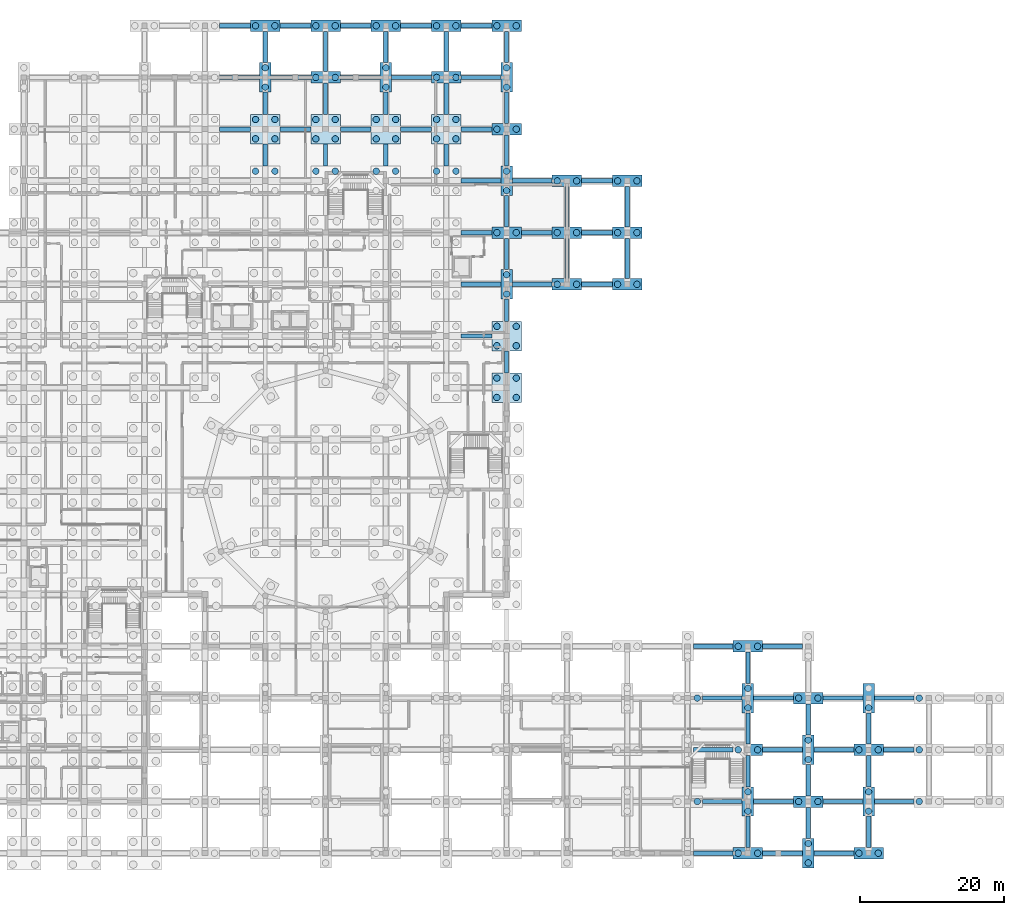
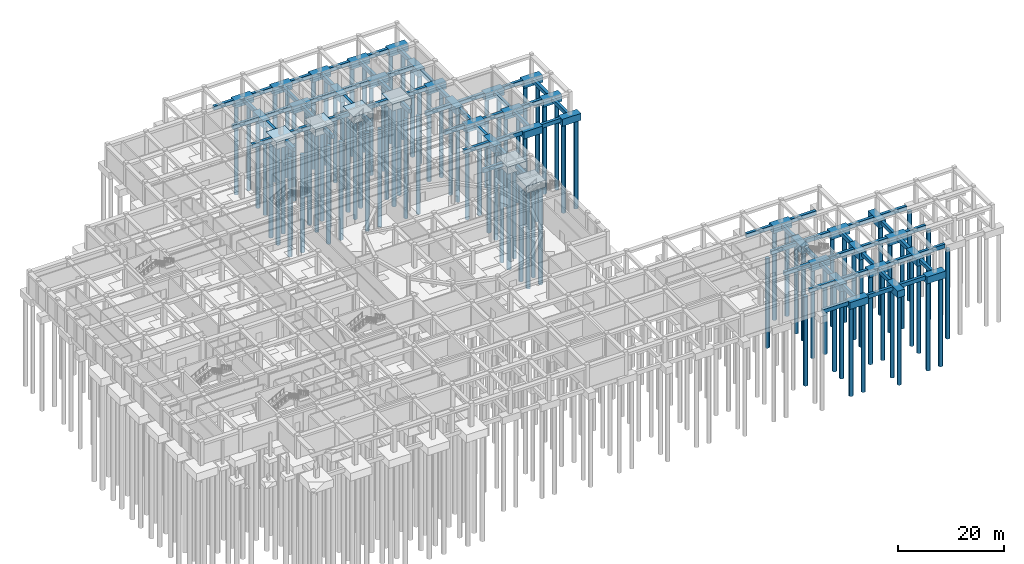
# One storey, part 7 of 32: 114 footings, 102 piles.
"""IFC4 building model written with IfcOpenShell, lengths in metres."""

from ifc_helpers import new_model, si_unit, derived_unit, direction, frame, origin, origin_2d, place, context, subcontext, project, spatial, rectangle, circle, extrude, material, material_profile, profile_set, type_object, element, save


model = new_model("IFC4")

# Units and contexts
model_context = context("Model", 3, precision=1e-05, world=origin(), true_north=direction((0.0, 1.0)))
body_context = subcontext(model_context, "Body", "Model", "MODEL_VIEW")
ifc_project = project(units=[si_unit("LENGTHUNIT", "METRE"), si_unit("AREAUNIT", "SQUARE_METRE"), si_unit("VOLUMEUNIT", "CUBIC_METRE"), si_unit("PLANEANGLEUNIT", "RADIAN"), si_unit("MASSUNIT", "GRAM", prefix="KILO"), derived_unit("THERMALTRANSMITTANCEUNIT", [(si_unit("POWERUNIT", "WATT"), 1), (si_unit("LENGTHUNIT", "METRE"), -2), (si_unit("THERMODYNAMICTEMPERATUREUNIT", "KELVIN"), -1)])], contexts=[model_context])

# Site, building, storey
site_placement = place(None, origin())
site = spatial("IfcSite", under=ifc_project, at=site_placement, CompositionType="ELEMENT")
building_placement = place(site_placement, origin())
building = spatial("IfcBuilding", under=site, at=building_placement, Name="Veybourne Emporium", CompositionType="ELEMENT")
storey_placement = place(building_placement, frame((0.0, 0.0, -5.39990234375)))
storey = spatial("IfcBuildingStorey", under=building, at=storey_placement, Name="B1", CompositionType="ELEMENT", Elevation=-5.39990234375)

# Footings
ifc_material = material(Name="Concrete C35/45", Category="concrete")
footing_type_1 = type_object("IfcFootingType", Name="GroundBeam_GB-3100", PredefinedType="FOOTING_BEAM", material=ifc_material)
for number, where, z_axis, x_axis, name in (
    (1, (67.199951171875, 97.199951171875, -0.900146484375), (0.0, 0.0, 1.0), (0.0, 1.0, 0.0), "Ground tie beam GB-3100"),
    (2, (67.199951171875, 104.39990234375, -0.900146484375), (0.0, 0.0, 1.0), (0.0, 1.0, 0.0), "Ground tie beam GB-3100"),
    (3, (75.60009765625, 97.199951171875, -0.900146484375), (0.0, 0.0, 1.0), (0.0, 1.0, 0.0), "Ground tie beam GB-3100"),
    (4, (84.0, 97.199951171875, -0.900146484375), (0.0, 0.0, 1.0), (0.0, 1.0, 0.0), "Ground tie beam GB-3100"),
    (5, (84.0, 104.39990234375, -0.900146484375), (0.0, 0.0, 1.0), (0.0, 1.0, 0.0), "Ground tie beam GB-3100"),
    (6, (92.39990234375, 97.199951171875, -0.900146484375), (0.0, 0.0, 1.0), (0.0, 1.0, 0.0), "Ground tie beam GB-3100"),
    (7, (100.800048828125, 68.39990234375, -0.900146484375), (0.0, 0.0, 1.0), (0.0, 1.0, 0.0), "Ground tie beam GB-3100"),
    (8, (100.800048828125, 75.60009765625, -0.900146484375), (0.0, 0.0, 1.0), (0.0, 1.0, 0.0), "Ground tie beam GB-3100"),
):
    element("IfcFooting", number, at=place(storey_placement, frame(where, z_axis=z_axis, x_axis=x_axis)), inside=storey, type_object=footing_type_1, Name=name, PredefinedType="FOOTING_BEAM", context=body_context, shape_type="SweptSolid", body=[
        extrude(rectangle(XDim=3.10009765625, YDim=0.60009765625, at=origin_2d()), origin(), (0.0, 0.0, 1.0), 0.89990234375),
    ])
footing_type_2 = type_object("IfcFootingType", Name="GroundBeam_GB-4300", PredefinedType="FOOTING_BEAM", material=ifc_material)
for number, where, z_axis, x_axis, name in (
    (9, (63.0, 100.800048828125, -0.900146484375), (0.0, 0.0, 1.0), (1.0, 0.0, 0.0), "Ground tie beam GB-4300"),
    (10, (63.0, 115.199951171875, -0.900146484375), (0.0, 0.0, 1.0), (1.0, 0.0, 0.0), "Ground tie beam GB-4300"),
    (11, (71.39990234375, 100.800048828125, -0.900146484375), (0.0, 0.0, 1.0), (1.0, 0.0, 0.0), "Ground tie beam GB-4300"),
    (12, (71.39990234375, 115.199951171875, -0.900146484375), (0.0, 0.0, 1.0), (1.0, 0.0, 0.0), "Ground tie beam GB-4300"),
    (13, (79.800048828125, 100.800048828125, -0.900146484375), (0.0, 0.0, 1.0), (1.0, 0.0, 0.0), "Ground tie beam GB-4300"),
    (14, (79.800048828125, 115.199951171875, -0.900146484375), (0.0, 0.0, 1.0), (1.0, 0.0, 0.0), "Ground tie beam GB-4300"),
    (15, (88.199951171875, 100.800048828125, -0.900146484375), (0.0, 0.0, 1.0), (1.0, 0.0, 0.0), "Ground tie beam GB-4300"),
    (16, (88.199951171875, 115.199951171875, -0.900146484375), (0.0, 0.0, 1.0), (1.0, 0.0, 0.0), "Ground tie beam GB-4300"),
    (17, (96.60009765625, 72.0, -0.900146484375), (0.0, 0.0, 1.0), (1.0, 0.0, 0.0), "Ground tie beam GB-4300"),
    (18, (96.60009765625, 86.39990234375, -0.900146484375), (0.0, 0.0, 1.0), (1.0, 0.0, 0.0), "Ground tie beam GB-4300"),
    (19, (96.60009765625, 100.800048828125, -0.900146484375), (0.0, 0.0, 1.0), (1.0, 0.0, 0.0), "Ground tie beam GB-4300"),
    (20, (96.60009765625, 115.199951171875, -0.900146484375), (0.0, 0.0, 1.0), (1.0, 0.0, 0.0), "Ground tie beam GB-4300"),
    (21, (105.0, 86.39990234375, -0.900146484375), (0.0, 0.0, 1.0), (1.0, 0.0, 0.0), "Ground tie beam GB-4300"),
    (22, (113.39990234375, 79.199951171875, -0.900146484375), (0.0, 0.0, 1.0), (1.0, 0.0, 0.0), "Ground tie beam GB-4300"),
    (23, (113.39990234375, 86.39990234375, -0.900146484375), (0.0, 0.0, 1.0), (1.0, 0.0, 0.0), "Ground tie beam GB-4300"),
    (24, (113.39990234375, 93.60009765625, -0.900146484375), (0.0, 0.0, 1.0), (1.0, 0.0, 0.0), "Ground tie beam GB-4300"),
    (25, (155.39990234375, 14.39990234375, -0.900146484375), (0.0, 0.0, 1.0), (1.0, 0.0, 0.0), "Ground tie beam GB-4300"),
):
    element("IfcFooting", number, at=place(storey_placement, frame(where, z_axis=z_axis, x_axis=x_axis)), inside=storey, type_object=footing_type_2, Name=name, PredefinedType="FOOTING_BEAM", context=body_context, shape_type="SweptSolid", body=[
        extrude(rectangle(XDim=4.300048828125, YDim=0.60009765625, at=origin_2d()), origin(), (0.0, 0.0, 1.0), 0.89990234375),
    ])
footing_type_3 = type_object("IfcFootingType", Name="GroundBeam_GB-4350", PredefinedType="FOOTING_BEAM", material=ifc_material)
for number, where, z_axis, x_axis, name in (
    (26, (67.199951171875, 112.22509765625, -0.900146484375), (0.0, 0.0, 1.0), (0.0, 1.0, 0.0), "Ground tie beam GB-4350"),
    (27, (75.60009765625, 105.02490234375, -0.900146484375), (0.0, 0.0, 1.0), (0.0, 1.0, 0.0), "Ground tie beam GB-4350"),
    (28, (84.0, 112.22509765625, -0.900146484375), (0.0, 0.0, 1.0), (0.0, 1.0, 0.0), "Ground tie beam GB-4350"),
    (29, (92.39990234375, 105.02490234375, -0.900146484375), (0.0, 0.0, 1.0), (0.0, 1.0, 0.0), "Ground tie beam GB-4350"),
    (30, (100.800048828125, 83.425048828125, -0.900146484375), (0.0, 0.0, 1.0), (0.0, 1.0, 0.0), "Ground tie beam GB-4350"),
    (31, (100.800048828125, 89.375, -0.900146484375), (0.0, 0.0, 1.0), (0.0, 1.0, 0.0), "Ground tie beam GB-4350"),
    (32, (100.800048828125, 97.824951171875, -0.900146484375), (0.0, 0.0, 1.0), (0.0, 1.0, 0.0), "Ground tie beam GB-4350"),
    (33, (100.800048828125, 103.77490234375, -0.900146484375), (0.0, 0.0, 1.0), (0.0, 1.0, 0.0), "Ground tie beam GB-4350"),
    (34, (100.800048828125, 112.22509765625, -0.900146484375), (0.0, 0.0, 1.0), (0.0, 1.0, 0.0), "Ground tie beam GB-4350"),
    (35, (134.39990234375, 2.97509765625, -0.900146484375), (0.0, 0.0, 1.0), (0.0, 1.0, 0.0), "Ground tie beam GB-4350"),
    (36, (134.39990234375, 11.425048828125, -0.900146484375), (0.0, 0.0, 1.0), (0.0, 1.0, 0.0), "Ground tie beam GB-4350"),
    (37, (134.39990234375, 17.375, -0.900146484375), (0.0, 0.0, 1.0), (0.0, 1.0, 0.0), "Ground tie beam GB-4350"),
    (38, (134.39990234375, 25.824951171875, -0.900146484375), (0.0, 0.0, 1.0), (0.0, 1.0, 0.0), "Ground tie beam GB-4350"),
    (39, (142.800048828125, 4.22509765625, -0.900146484375), (0.0, 0.0, 1.0), (0.0, 1.0, 0.0), "Ground tie beam GB-4350"),
    (40, (142.800048828125, 10.175048828125, -0.900146484375), (0.0, 0.0, 1.0), (0.0, 1.0, 0.0), "Ground tie beam GB-4350"),
    (41, (142.800048828125, 18.625, -0.900146484375), (0.0, 0.0, 1.0), (0.0, 1.0, 0.0), "Ground tie beam GB-4350"),
    (42, (151.199951171875, 2.97509765625, -0.900146484375), (0.0, 0.0, 1.0), (0.0, 1.0, 0.0), "Ground tie beam GB-4350"),
    (43, (151.199951171875, 11.425048828125, -0.900146484375), (0.0, 0.0, 1.0), (0.0, 1.0, 0.0), "Ground tie beam GB-4350"),
    (44, (151.199951171875, 17.375, -0.900146484375), (0.0, 0.0, 1.0), (0.0, 1.0, 0.0), "Ground tie beam GB-4350"),
):
    element("IfcFooting", number, at=place(storey_placement, frame(where, z_axis=z_axis, x_axis=x_axis)), inside=storey, type_object=footing_type_3, Name=name, PredefinedType="FOOTING_BEAM", context=body_context, shape_type="SweptSolid", body=[
        extrude(rectangle(XDim=4.35009765625, YDim=0.60009765625, at=origin_2d()), origin(), (0.0, 0.0, 1.0), 0.89990234375),
    ])
footing_type_4 = type_object("IfcFootingType", Name="GroundBeam_GB-5550", PredefinedType="FOOTING_BEAM", material=ifc_material)
for number, where, z_axis, x_axis, name in (
    (45, (63.625, 108.0, -0.900146484375), (0.0, 0.0, 1.0), (1.0, 0.0, 0.0), "Ground tie beam GB-5550"),
    (46, (70.77490234375, 108.0, -0.900146484375), (0.0, 0.0, 1.0), (1.0, 0.0, 0.0), "Ground tie beam GB-5550"),
    (47, (80.425048828125, 108.0, -0.900146484375), (0.0, 0.0, 1.0), (1.0, 0.0, 0.0), "Ground tie beam GB-5550"),
    (48, (87.574951171875, 108.0, -0.900146484375), (0.0, 0.0, 1.0), (1.0, 0.0, 0.0), "Ground tie beam GB-5550"),
    (49, (97.22509765625, 79.199951171875, -0.900146484375), (0.0, 0.0, 1.0), (1.0, 0.0, 0.0), "Ground tie beam GB-5550"),
    (50, (97.22509765625, 93.60009765625, -0.900146484375), (0.0, 0.0, 1.0), (1.0, 0.0, 0.0), "Ground tie beam GB-5550"),
    (51, (97.22509765625, 108.0, -0.900146484375), (0.0, 0.0, 1.0), (1.0, 0.0, 0.0), "Ground tie beam GB-5550"),
    (52, (104.375, 79.199951171875, -0.900146484375), (0.0, 0.0, 1.0), (1.0, 0.0, 0.0), "Ground tie beam GB-5550"),
    (53, (104.375, 93.60009765625, -0.900146484375), (0.0, 0.0, 1.0), (1.0, 0.0, 0.0), "Ground tie beam GB-5550"),
    (54, (129.574951171875, 0.0, -0.900146484375), (0.0, 0.0, 1.0), (1.0, 0.0, 0.0), "Ground tie beam GB-5550"),
    (55, (130.824951171875, 7.199951171875, -0.900146484375), (0.0, 0.0, 1.0), (1.0, 0.0, 0.0), "Ground tie beam GB-5550"),
    (56, (129.574951171875, 14.39990234375, -0.900146484375), (0.0, 0.0, 1.0), (1.0, 0.0, 0.0), "Ground tie beam GB-5550"),
    (57, (130.824951171875, 21.60009765625, -0.900146484375), (0.0, 0.0, 1.0), (1.0, 0.0, 0.0), "Ground tie beam GB-5550"),
    (58, (129.574951171875, 28.800048828125, -0.900146484375), (0.0, 0.0, 1.0), (1.0, 0.0, 0.0), "Ground tie beam GB-5550"),
    (59, (139.22509765625, 0.0, -0.900146484375), (0.0, 0.0, 1.0), (1.0, 0.0, 0.0), "Ground tie beam GB-5550"),
    (60, (137.97509765625, 7.199951171875, -0.900146484375), (0.0, 0.0, 1.0), (1.0, 0.0, 0.0), "Ground tie beam GB-5550"),
    (61, (139.22509765625, 14.39990234375, -0.900146484375), (0.0, 0.0, 1.0), (1.0, 0.0, 0.0), "Ground tie beam GB-5550"),
    (62, (137.97509765625, 21.60009765625, -0.900146484375), (0.0, 0.0, 1.0), (1.0, 0.0, 0.0), "Ground tie beam GB-5550"),
    (63, (139.22509765625, 28.800048828125, -0.900146484375), (0.0, 0.0, 1.0), (1.0, 0.0, 0.0), "Ground tie beam GB-5550"),
    (64, (146.375, 0.0, -0.900146484375), (0.0, 0.0, 1.0), (1.0, 0.0, 0.0), "Ground tie beam GB-5550"),
    (65, (147.625, 7.199951171875, -0.900146484375), (0.0, 0.0, 1.0), (1.0, 0.0, 0.0), "Ground tie beam GB-5550"),
    (66, (146.375, 14.39990234375, -0.900146484375), (0.0, 0.0, 1.0), (1.0, 0.0, 0.0), "Ground tie beam GB-5550"),
    (67, (147.625, 21.60009765625, -0.900146484375), (0.0, 0.0, 1.0), (1.0, 0.0, 0.0), "Ground tie beam GB-5550"),
    (68, (154.77490234375, 7.199951171875, -0.900146484375), (0.0, 0.0, 1.0), (1.0, 0.0, 0.0), "Ground tie beam GB-5550"),
    (69, (154.77490234375, 21.60009765625, -0.900146484375), (0.0, 0.0, 1.0), (1.0, 0.0, 0.0), "Ground tie beam GB-5550"),
):
    element("IfcFooting", number, at=place(storey_placement, frame(where, z_axis=z_axis, x_axis=x_axis)), inside=storey, type_object=footing_type_4, Name=name, PredefinedType="FOOTING_BEAM", context=body_context, shape_type="SweptSolid", body=[
        extrude(rectangle(XDim=5.550048828125, YDim=0.60009765625, at=origin_2d()), origin(), (0.0, 0.0, 1.0), 0.89990234375),
    ])
footing_type_5 = type_object("IfcFootingType", Name="GroundBeam_GB-5600", PredefinedType="FOOTING_BEAM", material=ifc_material)
for number, where, z_axis, x_axis, name in (
    (70, (75.60009765625, 111.60009765625, -0.900146484375), (0.0, 0.0, 1.0), (0.0, 1.0, 0.0), "Ground tie beam GB-5600"),
    (71, (92.39990234375, 111.60009765625, -0.900146484375), (0.0, 0.0, 1.0), (0.0, 1.0, 0.0), "Ground tie beam GB-5600"),
    (72, (109.199951171875, 82.800048828125, -0.900146484375), (0.0, 0.0, 1.0), (0.0, 1.0, 0.0), "Ground tie beam GB-5600"),
    (73, (109.199951171875, 90.0, -0.900146484375), (0.0, 0.0, 1.0), (0.0, 1.0, 0.0), "Ground tie beam GB-5600"),
    (74, (117.60009765625, 82.800048828125, -0.900146484375), (0.0, 0.0, 1.0), (0.0, 1.0, 0.0), "Ground tie beam GB-5600"),
    (75, (117.60009765625, 90.0, -0.900146484375), (0.0, 0.0, 1.0), (0.0, 1.0, 0.0), "Ground tie beam GB-5600"),
):
    element("IfcFooting", number, at=place(storey_placement, frame(where, z_axis=z_axis, x_axis=x_axis)), inside=storey, type_object=footing_type_5, Name=name, PredefinedType="FOOTING_BEAM", context=body_context, shape_type="SweptSolid", body=[
        extrude(rectangle(XDim=5.60009765625, YDim=0.60009765625, at=origin_2d()), origin(), (0.0, 0.0, 1.0), 0.89990234375),
    ])
footing_type_6 = type_object("IfcFootingType", Name="PileCap_PC-02", PredefinedType="PILE_CAP", material=ifc_material)
for number, where, z_axis, x_axis, name in (
    (76, (67.199951171875, 115.199951171875, -1.60009765625), (0.0, 0.0, 1.0), (1.0, 0.0, 0.0), "Pile cap PC-02 at grid (8,16)"),
    (77, (75.60009765625, 108.0, -1.60009765625), (0.0, 0.0, 1.0), (1.0, 0.0, 0.0), "Pile cap PC-02 at grid (9,15)"),
    (78, (75.60009765625, 115.199951171875, -1.60009765625), (0.0, 0.0, 1.0), (1.0, 0.0, 0.0), "Pile cap PC-02 at grid (9,16)"),
    (79, (84.0, 115.199951171875, -1.60009765625), (0.0, 0.0, 1.0), (1.0, 0.0, 0.0), "Pile cap PC-02 at grid (10,16)"),
    (80, (92.39990234375, 108.0, -1.60009765625), (0.0, 0.0, 1.0), (1.0, 0.0, 0.0), "Pile cap PC-02 at grid (11,15)"),
    (81, (92.39990234375, 115.199951171875, -1.60009765625), (0.0, 0.0, 1.0), (1.0, 0.0, 0.0), "Pile cap PC-02 at grid (11,16)"),
    (82, (100.800048828125, 86.39990234375, -1.60009765625), (0.0, 0.0, 1.0), (1.0, 0.0, 0.0), "Pile cap PC-02 at grid (12,12)"),
    (83, (100.800048828125, 100.800048828125, -1.60009765625), (0.0, 0.0, 1.0), (1.0, 0.0, 0.0), "Pile cap PC-02 at grid (12,14)"),
    (84, (100.800048828125, 115.199951171875, -1.60009765625), (0.0, 0.0, 1.0), (1.0, 0.0, 0.0), "Pile cap PC-02 at grid (12,16)"),
    (85, (109.199951171875, 79.199951171875, -1.60009765625), (0.0, 0.0, 1.0), (1.0, 0.0, 0.0), "Pile cap PC-02 at grid (13,11)"),
    (86, (109.199951171875, 86.39990234375, -1.60009765625), (0.0, 0.0, 1.0), (1.0, 0.0, 0.0), "Pile cap PC-02 at grid (13,12)"),
    (87, (109.199951171875, 93.60009765625, -1.60009765625), (0.0, 0.0, 1.0), (1.0, 0.0, 0.0), "Pile cap PC-02 at grid (13,13)"),
    (88, (117.60009765625, 79.199951171875, -1.60009765625), (0.0, 0.0, 1.0), (1.0, 0.0, 0.0), "Pile cap PC-02 at grid (14,11)"),
    (89, (117.60009765625, 86.39990234375, -1.60009765625), (0.0, 0.0, 1.0), (1.0, 0.0, 0.0), "Pile cap PC-02 at grid (14,12)"),
    (90, (117.60009765625, 93.60009765625, -1.60009765625), (0.0, 0.0, 1.0), (1.0, 0.0, 0.0), "Pile cap PC-02 at grid (14,13)"),
    (91, (134.39990234375, 0.0, -1.60009765625), (0.0, 0.0, 1.0), (1.0, 0.0, 0.0), "Pile cap PC-02 at grid (16,0)"),
    (92, (134.39990234375, 14.39990234375, -1.60009765625), (0.0, 0.0, 1.0), (1.0, 0.0, 0.0), "Pile cap PC-02 at grid (16,2)"),
    (93, (134.39990234375, 28.800048828125, -1.60009765625), (0.0, 0.0, 1.0), (1.0, 0.0, 0.0), "Pile cap PC-02 at grid (16,4)"),
    (94, (142.800048828125, 7.199951171875, -1.60009765625), (0.0, 0.0, 1.0), (1.0, 0.0, 0.0), "Pile cap PC-02 at grid (17,1)"),
    (95, (142.800048828125, 21.60009765625, -1.60009765625), (0.0, 0.0, 1.0), (1.0, 0.0, 0.0), "Pile cap PC-02 at grid (17,3)"),
    (96, (151.199951171875, 0.0, -1.60009765625), (0.0, 0.0, 1.0), (1.0, 0.0, 0.0), "Pile cap PC-02 at grid (18,0)"),
    (97, (151.199951171875, 14.39990234375, -1.60009765625), (0.0, 0.0, 1.0), (1.0, 0.0, 0.0), "Pile cap PC-02 at grid (18,2)"),
):
    element("IfcFooting", number, at=place(storey_placement, frame(where, z_axis=z_axis, x_axis=x_axis)), inside=storey, type_object=footing_type_6, Name=name, PredefinedType="PILE_CAP", context=body_context, shape_type="SweptSolid", body=[
        extrude(rectangle(XDim=4.10009765625, YDim=1.60009765625, at=origin_2d()), origin(), (0.0, 0.0, 1.0), 1.60009765625),
    ])
footing_type_7 = type_object("IfcFootingType", Name="PileCap_PC-03", PredefinedType="PILE_CAP", material=ifc_material)
for number, where, z_axis, x_axis, name in (
    (98, (67.199951171875, 108.0, -1.60009765625), (0.0, 0.0, 1.0), (1.0, 0.0, 0.0), "Pile cap PC-03 at grid (8,15)"),
    (99, (84.0, 108.0, -1.60009765625), (0.0, 0.0, 1.0), (1.0, 0.0, 0.0), "Pile cap PC-03 at grid (10,15)"),
    (100, (100.800048828125, 79.199951171875, -1.60009765625), (0.0, 0.0, 1.0), (1.0, 0.0, 0.0), "Pile cap PC-03 at grid (12,11)"),
    (101, (100.800048828125, 93.60009765625, -1.60009765625), (0.0, 0.0, 1.0), (1.0, 0.0, 0.0), "Pile cap PC-03 at grid (12,13)"),
    (102, (100.800048828125, 108.0, -1.60009765625), (0.0, 0.0, 1.0), (1.0, 0.0, 0.0), "Pile cap PC-03 at grid (12,15)"),
    (103, (134.39990234375, 7.199951171875, -1.60009765625), (0.0, 0.0, 1.0), (1.0, 0.0, 0.0), "Pile cap PC-03 at grid (16,1)"),
    (104, (134.39990234375, 21.60009765625, -1.60009765625), (0.0, 0.0, 1.0), (1.0, 0.0, 0.0), "Pile cap PC-03 at grid (16,3)"),
    (105, (142.800048828125, 0.0, -1.60009765625), (0.0, 0.0, 1.0), (1.0, 0.0, 0.0), "Pile cap PC-03 at grid (17,0)"),
    (106, (142.800048828125, 14.39990234375, -1.60009765625), (0.0, 0.0, 1.0), (1.0, 0.0, 0.0), "Pile cap PC-03 at grid (17,2)"),
    (107, (151.199951171875, 7.199951171875, -1.60009765625), (0.0, 0.0, 1.0), (1.0, 0.0, 0.0), "Pile cap PC-03 at grid (18,1)"),
    (108, (151.199951171875, 21.60009765625, -1.60009765625), (0.0, 0.0, 1.0), (1.0, 0.0, 0.0), "Pile cap PC-03 at grid (18,3)"),
):
    element("IfcFooting", number, at=place(storey_placement, frame(where, z_axis=z_axis, x_axis=x_axis)), inside=storey, type_object=footing_type_7, Name=name, PredefinedType="PILE_CAP", context=body_context, shape_type="SweptSolid", body=[
        extrude(rectangle(XDim=1.60009765625, YDim=4.10009765625, at=origin_2d()), origin(), (0.0, 0.0, 1.0), 1.60009765625),
    ])
footing_type_8 = type_object("IfcFootingType", Name="PileCap_PC-04", PredefinedType="PILE_CAP", material=ifc_material)
for number, where, z_axis, x_axis, name in (
    (109, (67.199951171875, 100.800048828125, -1.60009765625), (0.0, 0.0, 1.0), (1.0, 0.0, 0.0), "Pile cap PC-04 at grid (8,14)"),
    (110, (75.60009765625, 100.800048828125, -1.60009765625), (0.0, 0.0, 1.0), (1.0, 0.0, 0.0), "Pile cap PC-04 at grid (9,14)"),
    (111, (84.0, 100.800048828125, -1.60009765625), (0.0, 0.0, 1.0), (1.0, 0.0, 0.0), "Pile cap PC-04 at grid (10,14)"),
    (112, (92.39990234375, 100.800048828125, -1.60009765625), (0.0, 0.0, 1.0), (1.0, 0.0, 0.0), "Pile cap PC-04 at grid (11,14)"),
    (113, (100.800048828125, 64.800048828125, -1.60009765625), (0.0, 0.0, 1.0), (1.0, 0.0, 0.0), "Pile cap PC-04 at grid (12,9)"),
    (114, (100.800048828125, 72.0, -1.60009765625), (0.0, 0.0, 1.0), (1.0, 0.0, 0.0), "Pile cap PC-04 at grid (12,10)"),
):
    element("IfcFooting", number, at=place(storey_placement, frame(where, z_axis=z_axis, x_axis=x_axis)), inside=storey, type_object=footing_type_8, Name=name, PredefinedType="PILE_CAP", context=body_context, shape_type="SweptSolid", body=[
        extrude(rectangle(XDim=4.10009765625, YDim=4.10009765625, at=origin_2d()), origin(), (0.0, 0.0, 1.0), 1.60009765625),
    ])

# Piles
ifc_material_profile_1 = material_profile(ifc_material, circle(Radius=0.449951171875, at=origin_2d()), Name="BORED PILE 900")
ifc_profile_set_1 = profile_set([ifc_material_profile_1], Name="Concrete C35/45")
pile_type_1 = type_object("IfcPileType", Name="Pile_P-01", PredefinedType="BORED", material=ifc_profile_set_1)
for number, where, z_axis, x_axis, name in (
    (115, (65.85009765625, 94.949951171875, -1.4501953125), (0.0, 0.0, -1.0), (1.0, 0.0, 0.0), "Bored pile P-01-437"),
    (116, (68.550048828125, 94.949951171875, -1.4501953125), (0.0, 0.0, -1.0), (1.0, 0.0, 0.0), "Bored pile P-01-438"),
    (117, (65.85009765625, 99.449951171875, -1.4501953125), (0.0, 0.0, -1.0), (1.0, 0.0, 0.0), "Bored pile P-01-439"),
    (118, (68.550048828125, 99.449951171875, -1.4501953125), (0.0, 0.0, -1.0), (1.0, 0.0, 0.0), "Bored pile P-01-440"),
    (119, (65.85009765625, 102.14990234375, -1.4501953125), (0.0, 0.0, -1.0), (1.0, 0.0, 0.0), "Bored pile P-01-441"),
    (120, (68.550048828125, 102.14990234375, -1.4501953125), (0.0, 0.0, -1.0), (1.0, 0.0, 0.0), "Bored pile P-01-442"),
    (121, (74.25, 94.949951171875, -1.4501953125), (0.0, 0.0, -1.0), (1.0, 0.0, 0.0), "Bored pile P-01-485"),
    (122, (76.949951171875, 94.949951171875, -1.4501953125), (0.0, 0.0, -1.0), (1.0, 0.0, 0.0), "Bored pile P-01-486"),
    (123, (74.25, 99.449951171875, -1.4501953125), (0.0, 0.0, -1.0), (1.0, 0.0, 0.0), "Bored pile P-01-487"),
    (124, (76.949951171875, 99.449951171875, -1.4501953125), (0.0, 0.0, -1.0), (1.0, 0.0, 0.0), "Bored pile P-01-488"),
    (125, (74.25, 102.14990234375, -1.4501953125), (0.0, 0.0, -1.0), (1.0, 0.0, 0.0), "Bored pile P-01-489"),
    (126, (76.949951171875, 102.14990234375, -1.4501953125), (0.0, 0.0, -1.0), (1.0, 0.0, 0.0), "Bored pile P-01-490"),
    (127, (82.64990234375, 94.949951171875, -1.4501953125), (0.0, 0.0, -1.0), (1.0, 0.0, 0.0), "Bored pile P-01-533"),
    (128, (85.35009765625, 94.949951171875, -1.4501953125), (0.0, 0.0, -1.0), (1.0, 0.0, 0.0), "Bored pile P-01-534"),
    (129, (82.64990234375, 99.449951171875, -1.4501953125), (0.0, 0.0, -1.0), (1.0, 0.0, 0.0), "Bored pile P-01-535"),
    (130, (85.35009765625, 99.449951171875, -1.4501953125), (0.0, 0.0, -1.0), (1.0, 0.0, 0.0), "Bored pile P-01-536"),
    (131, (82.64990234375, 102.14990234375, -1.4501953125), (0.0, 0.0, -1.0), (1.0, 0.0, 0.0), "Bored pile P-01-537"),
    (132, (85.35009765625, 102.14990234375, -1.4501953125), (0.0, 0.0, -1.0), (1.0, 0.0, 0.0), "Bored pile P-01-538"),
    (133, (91.050048828125, 94.949951171875, -1.4501953125), (0.0, 0.0, -1.0), (1.0, 0.0, 0.0), "Bored pile P-01-577"),
    (134, (93.75, 94.949951171875, -1.4501953125), (0.0, 0.0, -1.0), (1.0, 0.0, 0.0), "Bored pile P-01-578"),
    (135, (91.050048828125, 99.449951171875, -1.4501953125), (0.0, 0.0, -1.0), (1.0, 0.0, 0.0), "Bored pile P-01-579"),
    (136, (93.75, 99.449951171875, -1.4501953125), (0.0, 0.0, -1.0), (1.0, 0.0, 0.0), "Bored pile P-01-580"),
    (137, (91.050048828125, 102.14990234375, -1.4501953125), (0.0, 0.0, -1.0), (1.0, 0.0, 0.0), "Bored pile P-01-581"),
    (138, (93.75, 102.14990234375, -1.4501953125), (0.0, 0.0, -1.0), (1.0, 0.0, 0.0), "Bored pile P-01-582"),
    (139, (99.449951171875, 63.449951171875, -1.4501953125), (0.0, 0.0, -1.0), (1.0, 0.0, 0.0), "Bored pile P-01-613"),
    (140, (102.14990234375, 63.449951171875, -1.4501953125), (0.0, 0.0, -1.0), (1.0, 0.0, 0.0), "Bored pile P-01-614"),
    (141, (99.449951171875, 66.14990234375, -1.4501953125), (0.0, 0.0, -1.0), (1.0, 0.0, 0.0), "Bored pile P-01-615"),
    (142, (102.14990234375, 66.14990234375, -1.4501953125), (0.0, 0.0, -1.0), (1.0, 0.0, 0.0), "Bored pile P-01-616"),
    (143, (99.449951171875, 70.64990234375, -1.4501953125), (0.0, 0.0, -1.0), (1.0, 0.0, 0.0), "Bored pile P-01-617"),
    (144, (102.14990234375, 70.64990234375, -1.4501953125), (0.0, 0.0, -1.0), (1.0, 0.0, 0.0), "Bored pile P-01-618"),
    (145, (99.449951171875, 73.35009765625, -1.4501953125), (0.0, 0.0, -1.0), (1.0, 0.0, 0.0), "Bored pile P-01-619"),
    (146, (102.14990234375, 73.35009765625, -1.4501953125), (0.0, 0.0, -1.0), (1.0, 0.0, 0.0), "Bored pile P-01-620"),
):
    element("IfcPile", number, at=place(storey_placement, frame(where, z_axis=z_axis, x_axis=x_axis)), inside=storey, type_object=pile_type_1, Name=name, PredefinedType="BORED", context=body_context, shape_type="SweptSolid", body=[
        extrude(circle(Radius=0.449951171875, at=origin_2d()), origin(), (0.0, 0.0, 1.0), 22.550048828125),
    ])
ifc_material_profile_2 = material_profile(ifc_material, circle(Radius=0.449951171875, at=origin_2d()), Name="BORED PILE 900")
ifc_profile_set_2 = profile_set([ifc_material_profile_2], Name="Concrete C35/45")
pile_type_2 = type_object("IfcPileType", Name="Pile_P-03", PredefinedType="BORED", material=ifc_profile_set_2)
for number, where, z_axis, x_axis, name in (
    (147, (67.199951171875, 106.64990234375, -1.4501953125), (0.0, 0.0, -1.0), (1.0, 0.0, 0.0), "Bored pile P-03-443"),
    (148, (67.199951171875, 109.35009765625, -1.4501953125), (0.0, 0.0, -1.0), (1.0, 0.0, 0.0), "Bored pile P-03-444"),
    (149, (65.85009765625, 115.199951171875, -1.4501953125), (0.0, 0.0, -1.0), (1.0, 0.0, 0.0), "Bored pile P-03-445"),
    (150, (68.550048828125, 115.199951171875, -1.4501953125), (0.0, 0.0, -1.0), (1.0, 0.0, 0.0), "Bored pile P-03-446"),
    (151, (74.25, 108.0, -1.4501953125), (0.0, 0.0, -1.0), (1.0, 0.0, 0.0), "Bored pile P-03-491"),
    (152, (76.949951171875, 108.0, -1.4501953125), (0.0, 0.0, -1.0), (1.0, 0.0, 0.0), "Bored pile P-03-492"),
    (153, (74.25, 115.199951171875, -1.4501953125), (0.0, 0.0, -1.0), (1.0, 0.0, 0.0), "Bored pile P-03-493"),
    (154, (76.949951171875, 115.199951171875, -1.4501953125), (0.0, 0.0, -1.0), (1.0, 0.0, 0.0), "Bored pile P-03-494"),
    (155, (84.0, 106.64990234375, -1.4501953125), (0.0, 0.0, -1.0), (1.0, 0.0, 0.0), "Bored pile P-03-539"),
    (156, (84.0, 109.35009765625, -1.4501953125), (0.0, 0.0, -1.0), (1.0, 0.0, 0.0), "Bored pile P-03-540"),
    (157, (82.64990234375, 115.199951171875, -1.4501953125), (0.0, 0.0, -1.0), (1.0, 0.0, 0.0), "Bored pile P-03-541"),
    (158, (85.35009765625, 115.199951171875, -1.4501953125), (0.0, 0.0, -1.0), (1.0, 0.0, 0.0), "Bored pile P-03-542"),
    (159, (91.050048828125, 108.0, -1.4501953125), (0.0, 0.0, -1.0), (1.0, 0.0, 0.0), "Bored pile P-03-583"),
    (160, (93.75, 108.0, -1.4501953125), (0.0, 0.0, -1.0), (1.0, 0.0, 0.0), "Bored pile P-03-584"),
    (161, (91.050048828125, 115.199951171875, -1.4501953125), (0.0, 0.0, -1.0), (1.0, 0.0, 0.0), "Bored pile P-03-585"),
    (162, (93.75, 115.199951171875, -1.4501953125), (0.0, 0.0, -1.0), (1.0, 0.0, 0.0), "Bored pile P-03-586"),
    (163, (100.800048828125, 77.85009765625, -1.4501953125), (0.0, 0.0, -1.0), (1.0, 0.0, 0.0), "Bored pile P-03-621"),
    (164, (100.800048828125, 80.550048828125, -1.4501953125), (0.0, 0.0, -1.0), (1.0, 0.0, 0.0), "Bored pile P-03-622"),
    (165, (99.449951171875, 86.39990234375, -1.4501953125), (0.0, 0.0, -1.0), (1.0, 0.0, 0.0), "Bored pile P-03-623"),
    (166, (102.14990234375, 86.39990234375, -1.4501953125), (0.0, 0.0, -1.0), (1.0, 0.0, 0.0), "Bored pile P-03-624"),
    (167, (100.800048828125, 92.25, -1.4501953125), (0.0, 0.0, -1.0), (1.0, 0.0, 0.0), "Bored pile P-03-625"),
    (168, (100.800048828125, 94.949951171875, -1.4501953125), (0.0, 0.0, -1.0), (1.0, 0.0, 0.0), "Bored pile P-03-626"),
    (169, (99.449951171875, 100.800048828125, -1.4501953125), (0.0, 0.0, -1.0), (1.0, 0.0, 0.0), "Bored pile P-03-627"),
    (170, (102.14990234375, 100.800048828125, -1.4501953125), (0.0, 0.0, -1.0), (1.0, 0.0, 0.0), "Bored pile P-03-628"),
    (171, (100.800048828125, 106.64990234375, -1.4501953125), (0.0, 0.0, -1.0), (1.0, 0.0, 0.0), "Bored pile P-03-629"),
    (172, (100.800048828125, 109.35009765625, -1.4501953125), (0.0, 0.0, -1.0), (1.0, 0.0, 0.0), "Bored pile P-03-630"),
    (173, (99.449951171875, 115.199951171875, -1.4501953125), (0.0, 0.0, -1.0), (1.0, 0.0, 0.0), "Bored pile P-03-631"),
    (174, (102.14990234375, 115.199951171875, -1.4501953125), (0.0, 0.0, -1.0), (1.0, 0.0, 0.0), "Bored pile P-03-632"),
    (175, (107.85009765625, 79.199951171875, -1.4501953125), (0.0, 0.0, -1.0), (1.0, 0.0, 0.0), "Bored pile P-03-643"),
    (176, (110.550048828125, 79.199951171875, -1.4501953125), (0.0, 0.0, -1.0), (1.0, 0.0, 0.0), "Bored pile P-03-644"),
    (177, (107.85009765625, 86.39990234375, -1.4501953125), (0.0, 0.0, -1.0), (1.0, 0.0, 0.0), "Bored pile P-03-645"),
    (178, (110.550048828125, 86.39990234375, -1.4501953125), (0.0, 0.0, -1.0), (1.0, 0.0, 0.0), "Bored pile P-03-646"),
    (179, (107.85009765625, 93.60009765625, -1.4501953125), (0.0, 0.0, -1.0), (1.0, 0.0, 0.0), "Bored pile P-03-647"),
    (180, (110.550048828125, 93.60009765625, -1.4501953125), (0.0, 0.0, -1.0), (1.0, 0.0, 0.0), "Bored pile P-03-648"),
    (181, (116.25, 79.199951171875, -1.4501953125), (0.0, 0.0, -1.0), (1.0, 0.0, 0.0), "Bored pile P-03-659"),
    (182, (118.949951171875, 79.199951171875, -1.4501953125), (0.0, 0.0, -1.0), (1.0, 0.0, 0.0), "Bored pile P-03-660"),
    (183, (116.25, 86.39990234375, -1.4501953125), (0.0, 0.0, -1.0), (1.0, 0.0, 0.0), "Bored pile P-03-661"),
    (184, (118.949951171875, 86.39990234375, -1.4501953125), (0.0, 0.0, -1.0), (1.0, 0.0, 0.0), "Bored pile P-03-662"),
    (185, (116.25, 93.60009765625, -1.4501953125), (0.0, 0.0, -1.0), (1.0, 0.0, 0.0), "Bored pile P-03-663"),
    (186, (118.949951171875, 93.60009765625, -1.4501953125), (0.0, 0.0, -1.0), (1.0, 0.0, 0.0), "Bored pile P-03-664"),
    (187, (127.35009765625, 7.199951171875, -1.4501953125), (0.0, 0.0, -1.0), (1.0, 0.0, 0.0), "Bored pile P-03-668"),
    (188, (127.35009765625, 21.60009765625, -1.4501953125), (0.0, 0.0, -1.0), (1.0, 0.0, 0.0), "Bored pile P-03-672"),
    (189, (133.050048828125, 0.0, -1.4501953125), (0.0, 0.0, -1.0), (1.0, 0.0, 0.0), "Bored pile P-03-675"),
    (190, (135.75, 0.0, -1.4501953125), (0.0, 0.0, -1.0), (1.0, 0.0, 0.0), "Bored pile P-03-676"),
    (191, (134.39990234375, 5.85009765625, -1.4501953125), (0.0, 0.0, -1.0), (1.0, 0.0, 0.0), "Bored pile P-03-677"),
    (192, (134.39990234375, 8.550048828125, -1.4501953125), (0.0, 0.0, -1.0), (1.0, 0.0, 0.0), "Bored pile P-03-678"),
    (193, (133.050048828125, 14.39990234375, -1.4501953125), (0.0, 0.0, -1.0), (1.0, 0.0, 0.0), "Bored pile P-03-679"),
    (194, (135.75, 14.39990234375, -1.4501953125), (0.0, 0.0, -1.0), (1.0, 0.0, 0.0), "Bored pile P-03-680"),
    (195, (134.39990234375, 20.25, -1.4501953125), (0.0, 0.0, -1.0), (1.0, 0.0, 0.0), "Bored pile P-03-681"),
    (196, (134.39990234375, 22.949951171875, -1.4501953125), (0.0, 0.0, -1.0), (1.0, 0.0, 0.0), "Bored pile P-03-682"),
    (197, (133.050048828125, 28.800048828125, -1.4501953125), (0.0, 0.0, -1.0), (1.0, 0.0, 0.0), "Bored pile P-03-683"),
    (198, (135.75, 28.800048828125, -1.4501953125), (0.0, 0.0, -1.0), (1.0, 0.0, 0.0), "Bored pile P-03-684"),
    (199, (142.800048828125, -1.35009765625, -1.4501953125), (0.0, 0.0, -1.0), (1.0, 0.0, 0.0), "Bored pile P-03-685"),
    (200, (142.800048828125, 1.35009765625, -1.4501953125), (0.0, 0.0, -1.0), (1.0, 0.0, 0.0), "Bored pile P-03-686"),
    (201, (141.449951171875, 7.199951171875, -1.4501953125), (0.0, 0.0, -1.0), (1.0, 0.0, 0.0), "Bored pile P-03-687"),
    (202, (144.14990234375, 7.199951171875, -1.4501953125), (0.0, 0.0, -1.0), (1.0, 0.0, 0.0), "Bored pile P-03-688"),
    (203, (142.800048828125, 13.050048828125, -1.4501953125), (0.0, 0.0, -1.0), (1.0, 0.0, 0.0), "Bored pile P-03-689"),
    (204, (142.800048828125, 15.75, -1.4501953125), (0.0, 0.0, -1.0), (1.0, 0.0, 0.0), "Bored pile P-03-690"),
    (205, (141.449951171875, 21.60009765625, -1.4501953125), (0.0, 0.0, -1.0), (1.0, 0.0, 0.0), "Bored pile P-03-691"),
    (206, (144.14990234375, 21.60009765625, -1.4501953125), (0.0, 0.0, -1.0), (1.0, 0.0, 0.0), "Bored pile P-03-692"),
    (207, (149.85009765625, 0.0, -1.4501953125), (0.0, 0.0, -1.0), (1.0, 0.0, 0.0), "Bored pile P-03-695"),
    (208, (152.550048828125, 0.0, -1.4501953125), (0.0, 0.0, -1.0), (1.0, 0.0, 0.0), "Bored pile P-03-696"),
    (209, (151.199951171875, 5.85009765625, -1.4501953125), (0.0, 0.0, -1.0), (1.0, 0.0, 0.0), "Bored pile P-03-697"),
    (210, (151.199951171875, 8.550048828125, -1.4501953125), (0.0, 0.0, -1.0), (1.0, 0.0, 0.0), "Bored pile P-03-698"),
    (211, (149.85009765625, 14.39990234375, -1.4501953125), (0.0, 0.0, -1.0), (1.0, 0.0, 0.0), "Bored pile P-03-699"),
    (212, (152.550048828125, 14.39990234375, -1.4501953125), (0.0, 0.0, -1.0), (1.0, 0.0, 0.0), "Bored pile P-03-700"),
    (213, (151.199951171875, 20.25, -1.4501953125), (0.0, 0.0, -1.0), (1.0, 0.0, 0.0), "Bored pile P-03-701"),
    (214, (158.25, 7.199951171875, -1.4501953125), (0.0, 0.0, -1.0), (1.0, 0.0, 0.0), "Bored pile P-03-703"),
    (215, (158.25, 14.39990234375, -1.4501953125), (0.0, 0.0, -1.0), (1.0, 0.0, 0.0), "Bored pile P-03-705"),
    (216, (158.25, 21.60009765625, -1.4501953125), (0.0, 0.0, -1.0), (1.0, 0.0, 0.0), "Bored pile P-03-707"),
):
    element("IfcPile", number, at=place(storey_placement, frame(where, z_axis=z_axis, x_axis=x_axis)), inside=storey, type_object=pile_type_2, Name=name, PredefinedType="BORED", context=body_context, shape_type="SweptSolid", body=[
        extrude(circle(Radius=0.449951171875, at=origin_2d()), origin(), (0.0, 0.0, 1.0), 20.550048828125),
    ])

save(model, "model.ifc")
